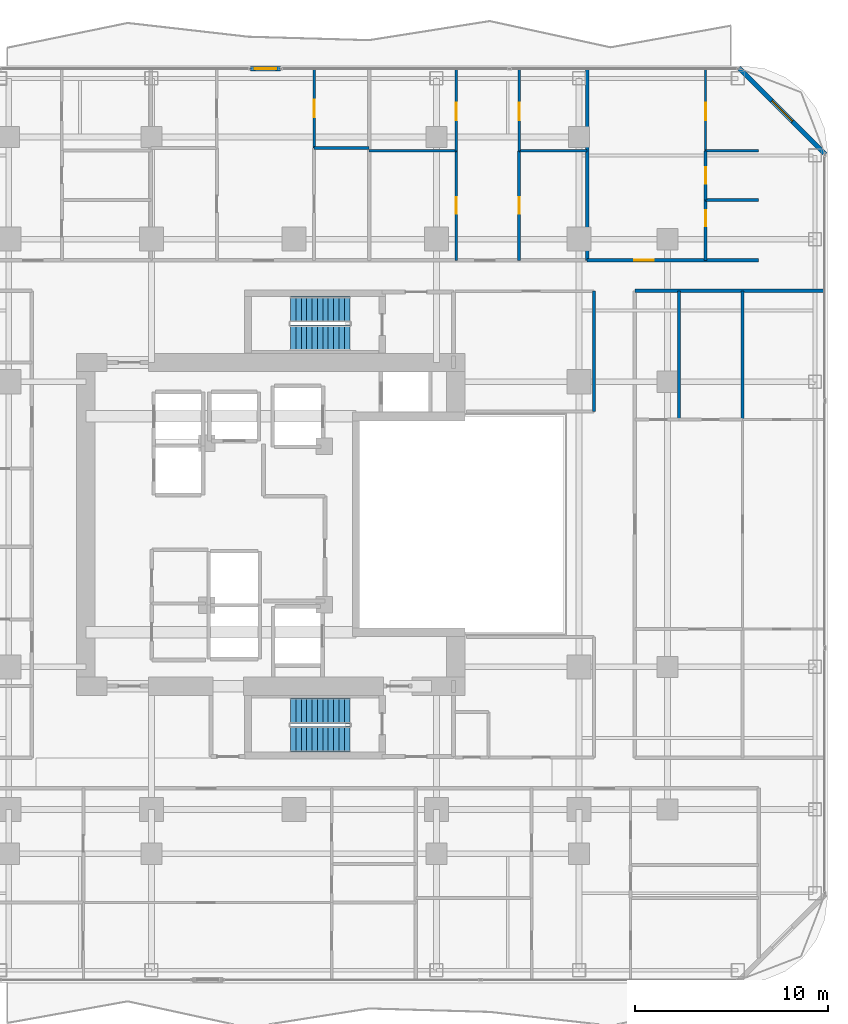
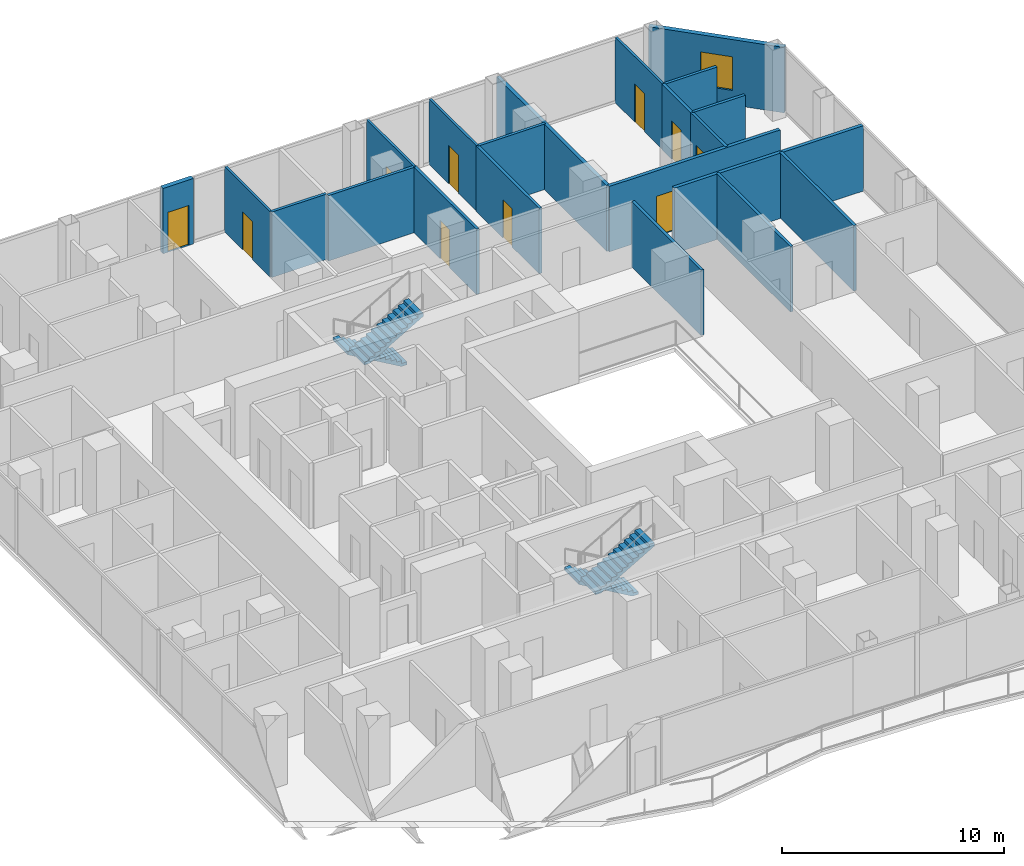
# One storey, part 24 of 27: 21 walls, 10 doors, 4 stair flights, 1 window, 11 openings, 2 elements without a shape of their own.
"""IFC4 building model written with IfcOpenShell, lengths in metres."""

from ifc_helpers import new_model, si_unit, direction, frame, frame_2d, origin, place, context, subcontext, project, spatial, polyline, rectangle, outline, extrude, material, layer, layer_set, type_object, element, fill, aggregate, save


model = new_model("IFC4")

# Units and contexts
model_context = context("Model", 3, precision=1e-05, world=origin(), true_north=direction((0.0, 1.0)))
body_context = subcontext(model_context, "Body", "Model", "MODEL_VIEW")
ifc_project = project(units=[si_unit("LENGTHUNIT", "METRE"), si_unit("AREAUNIT", "SQUARE_METRE"), si_unit("VOLUMEUNIT", "CUBIC_METRE"), si_unit("PLANEANGLEUNIT", "RADIAN"), si_unit("MASSUNIT", "GRAM", prefix="KILO")], contexts=[model_context])

# Site, building, storey
site_placement = place(None, origin())
site = spatial("IfcSite", under=ifc_project, at=site_placement, CompositionType="ELEMENT")
building_placement = place(site_placement, origin())
building = spatial("IfcBuilding", under=site, at=building_placement, Name="Khorvyn Point Tower", CompositionType="ELEMENT")
storey_placement = place(building_placement, frame((0.0, 0.0, 152.39990234375)))
storey = spatial("IfcBuildingStorey", under=building, at=storey_placement, Name="L38", CompositionType="ELEMENT", Elevation=152.39990234375)

# Wall, opening, door
ifc_material_1 = material(Name="Double acoustic gypsum on twin steel stud", Category="steel")
ifc_layer_1 = layer(ifc_material_1, 0.179931640625)
ifc_layer_set_1 = layer_set([ifc_layer_1], Name="Acoustic Double-Stud Apartment Demising Wall 180")
wall_type_1 = type_object("IfcWallType", Name="Acoustic Double-Stud Apartment Demising Wall 180", PredefinedType="PARTITIONING", material=ifc_layer_set_1)
wall_1_placement = place(storey_placement, frame((15.222900390625, 13.699951171875, 0.0), z_axis=(0.0, 0.0, 1.0), x_axis=(1.0, 0.0, 0.0)))
wall_1 = element("IfcWall", 1, at=wall_1_placement, inside=storey, type_object=wall_type_1, Name="Wall", PredefinedType="PARTITIONING", context=body_context, shape_type="SweptSolid", body=[
    extrude(rectangle(XDim=8.897216796875, YDim=0.179931640625, at=frame_2d((4.44873046875, 0.0))), origin(), (0.0, 0.0, 1.0), 3.60009765625),
])
opening_1_placement = place(wall_1_placement, frame((2.45068359375, 0.0, 0.0)))
opening_1 = element("IfcOpeningElement", 2, at=opening_1_placement, cuts=wall_1, Name="Opening ID-AP60", PredefinedType="OPENING", context=body_context, shape_type="SweptSolid", body=[
    extrude(rectangle(XDim=1.0, YDim=2.199951171875, at=frame_2d((0.5, 1.10009765625))), frame((0.0, 0.099853515625, 0.0), z_axis=(0.0, -1.0, 0.0), x_axis=(1.0, 0.0, 0.0)), (0.0, 0.0, 1.0), 0.199951171875),
])
ifc_material_2 = material(Name="Engineered hardwood fire-rated leaf", Category="wood")
door_type_1 = type_object("IfcDoorType", Name="Acoustic Solid-Core Timber Apartment Entrance Door 1000x2200", OperationType="NOTDEFINED", PredefinedType="DOOR", material=ifc_material_2)
door_1_placement = place(opening_1_placement, origin())
door_1 = element("IfcDoor", 3, at=door_1_placement, inside=storey, type_object=door_type_1, Name="Door", OperationType="SINGLE_SWING_LEFT", OverallHeight=2.199951171875, OverallWidth=1.0, PredefinedType="DOOR", context=body_context, shape_type="SweptSolid", body=[
    extrude(rectangle(XDim=1.0, YDim=2.199951171875, at=frame_2d((0.5, 1.10009765625))), frame((0.0, 0.02490234375, 0.0), z_axis=(0.0, -1.0, 0.0), x_axis=(1.0, 0.0, 0.0)), (0.0, 0.0, 1.0), 0.050048828125),
])
fill(opening_1, door_1)

# Walls
wall_2_placement = place(storey_placement, frame((15.222900390625, 13.699951171875, 0.0), z_axis=(0.0, 0.0, 1.0), x_axis=(0.0, 1.0, 0.0)))
element("IfcWall", 4, at=wall_2_placement, inside=storey, type_object=wall_type_1, Name="Wall", PredefinedType="PARTITIONING", context=body_context, shape_type="SweptSolid", body=[
    extrude(rectangle(XDim=9.929931640625, YDim=0.179931640625, at=frame_2d((4.96484375, 0.0))), origin(), (0.0, 0.0, 1.0), 3.60009765625),
])
wall_3_placement = place(storey_placement, frame((17.699951171875, 12.1201171875, 0.0), z_axis=(0.0, 0.0, 1.0), x_axis=(1.0, 0.0, 0.0)))
element("IfcWall", 5, at=wall_3_placement, inside=storey, type_object=wall_type_1, Name="Wall", PredefinedType="PARTITIONING", context=body_context, shape_type="SweptSolid", body=[
    extrude(rectangle(XDim=9.830078125, YDim=0.179931640625, at=frame_2d((4.9150390625, 0.0))), origin(), (0.0, 0.0, 1.0), 3.60009765625),
])

# Wall, opening, door
ifc_material_3 = material(Name="Pale anodised aluminium rainscreen on steel stud", Category="steel")
ifc_layer_2 = layer(ifc_material_3, 0.239990234375)
ifc_layer_set_2 = layer_set([ifc_layer_2], Name="Anodised Aluminium Insulated Corner Spandrel Wall 240")
wall_type_2 = type_object("IfcWallType", Name="Anodised Aluminium Insulated Corner Spandrel Wall 240", PredefinedType="SOLIDWALL", material=ifc_layer_set_2)
wall_4_placement = place(storey_placement, frame((-2.26611328125, 23.64990234375, 0.0), z_axis=(0.0, 0.0, 1.0), x_axis=(1.0, 0.0, 0.0)))
wall_4 = element("IfcWall", 6, at=wall_4_placement, inside=storey, type_object=wall_type_2, Name="L38 North Outdoor Threshold Wall", PredefinedType="SOLIDWALL", context=body_context, shape_type="SweptSolid", body=[
    extrude(rectangle(XDim=1.580078125, YDim=0.239990234375, at=frame_2d((0.7900390625, 0.0))), origin(), (0.0, 0.0, 1.0), 3.60009765625),
])
opening_2_placement = place(wall_4_placement, frame((0.239990234375, 0.0, 0.0)))
opening_2 = element("IfcOpeningElement", 7, at=opening_2_placement, cuts=wall_4, Name="Opening BD-1122", PredefinedType="OPENING", context=body_context, shape_type="SweptSolid", body=[
    extrude(rectangle(XDim=1.10009765625, YDim=2.199951171875, at=frame_2d((0.550048828125, 1.10009765625))), frame((0.0, 0.1298828125, 0.0), z_axis=(0.0, -1.0, 0.0), x_axis=(1.0, 0.0, 0.0)), (0.0, 0.0, 1.0), 0.260009765625),
])
ifc_material_4 = material(Name="Anodised aluminium 6063-T6 and laminated Low-E glass", Category="aluminium")
door_type_2 = type_object("IfcDoorType", Name="Glazed Balcony and Terrace Threshold Door 1100x2200", OperationType="NOTDEFINED", PredefinedType="DOOR", material=ifc_material_4)
door_2_placement = place(opening_2_placement, origin())
door_2 = element("IfcDoor", 8, at=door_2_placement, inside=storey, type_object=door_type_2, Name="L38 North Glazed Balcony Outdoor Door", OperationType="SINGLE_SWING_LEFT", OverallHeight=2.199951171875, OverallWidth=1.10009765625, PredefinedType="DOOR", context=body_context, shape_type="SweptSolid", body=[
    extrude(rectangle(XDim=1.10009765625, YDim=2.199951171875, at=frame_2d((0.550048828125, 1.10009765625))), frame((0.0, 0.02490234375, 0.0), z_axis=(0.0, -1.0, 0.0), x_axis=(1.0, 0.0, 0.0)), (0.0, 0.0, 1.0), 0.050048828125),
])
fill(opening_2, door_2)

# Wall, opening, window
wall_5_placement = place(storey_placement, frame((23.107666015625, 23.6923828125, 0.0), z_axis=(0.0, 0.0, 1.0), x_axis=(0.707087534163, -0.707126027686, 0.0)))
wall_5 = element("IfcWall", 9, at=wall_5_placement, inside=storey, type_object=wall_type_2, Name="L38 Rounded Corner Wall NE", PredefinedType="SOLIDWALL", context=body_context, shape_type="SweptSolid", body=[
    extrude(rectangle(XDim=6.34228515625, YDim=0.239990234375, at=frame_2d((3.171142578125, 0.0))), origin(), (0.0, 0.0, 1.0), 3.60009765625),
])
opening_3_placement = place(wall_5_placement, frame((2.42138671875, 0.0, 0.800048828125)))
opening_3 = element("IfcOpeningElement", 10, at=opening_3_placement, cuts=wall_5, Name="Opening WN-1518", PredefinedType="OPENING", context=body_context, shape_type="SweptSolid", body=[
    extrude(rectangle(XDim=1.5, YDim=1.85009765625, at=frame_2d((0.75, 0.925048828125))), frame((0.0, 0.1298828125, 0.0), z_axis=(0.0, -1.0, 0.0), x_axis=(1.0, 0.0, 0.0)), (0.0, 0.0, 1.0), 0.260009765625),
])
window_type = type_object("IfcWindowType", Name="Anodised Aluminium Rounded-Corner Panoramic Window 1500x1850", PartitioningType="SINGLE_PANEL", PredefinedType="WINDOW", material=ifc_material_4)
window_placement = place(opening_3_placement, origin())
window = element("IfcWindow", 11, at=window_placement, inside=storey, type_object=window_type, Name="L38 Corner Panoramic Window NE", OverallHeight=1.85009765625, OverallWidth=1.5, PartitioningType="SINGLE_PANEL", PredefinedType="WINDOW", context=body_context, shape_type="SweptSolid", body=[
    extrude(rectangle(XDim=1.5, YDim=1.85009765625, at=frame_2d((0.75, 0.925048828125))), frame((0.0, 0.030029296875, 0.0), z_axis=(0.0, -1.0, 0.0), x_axis=(1.0, 0.0, 0.0)), (0.0, 0.0, 1.0), 0.06005859375),
])
fill(opening_3, window)

# Wall, opening, door
ifc_material_5 = material(Name="Gypsum plasterboard on steel stud", Category="steel")
ifc_layer_3 = layer(ifc_material_5, 0.1201171875)
ifc_layer_set_3 = layer_set([ifc_layer_3], Name="Gypsum Acoustic Stud Room Partition Wall 120")
wall_type_3 = type_object("IfcWallType", Name="Gypsum Acoustic Stud Room Partition Wall 120", PredefinedType="PARTITIONING", material=ifc_layer_set_3)
wall_6_placement = place(storey_placement, frame((1.050048828125, 19.544921875, 0.0), z_axis=(0.0, 0.0, 1.0), x_axis=(0.0, 1.0, 0.0)))
wall_6 = element("IfcWall", 12, at=wall_6_placement, inside=storey, type_object=wall_type_3, Name="Wall", PredefinedType="PARTITIONING", context=body_context, shape_type="SweptSolid", body=[
    extrude(rectangle(XDim=4.0849609375, YDim=0.1201171875, at=frame_2d((2.04248046875, 0.0))), origin(), (0.0, 0.0, 1.0), 3.60009765625),
])
opening_4_placement = place(wall_6_placement, frame((1.592529296875, 0.0, 0.0)))
opening_4 = element("IfcOpeningElement", 13, at=opening_4_placement, cuts=wall_6, Name="Opening ID-RM90", PredefinedType="OPENING", context=body_context, shape_type="SweptSolid", body=[
    extrude(rectangle(XDim=0.89990234375, YDim=2.10009765625, at=frame_2d((0.449951171875, 1.050048828125))), frame((0.0, 0.070068359375, 0.0), z_axis=(0.0, -1.0, 0.0), x_axis=(1.0, 0.0, 0.0)), (0.0, 0.0, 1.0), 0.14013671875),
])
ifc_material_6 = material(Name="Engineered oak veneer timber", Category="wood")
door_type_3 = type_object("IfcDoorType", Name="Flush Engineered Timber Room Door 900x2100", OperationType="NOTDEFINED", PredefinedType="DOOR", material=ifc_material_6)
door_3_placement = place(opening_4_placement, origin())
door_3 = element("IfcDoor", 14, at=door_3_placement, inside=storey, type_object=door_type_3, Name="Door", OperationType="SINGLE_SWING_LEFT", OverallHeight=2.10009765625, OverallWidth=0.89990234375, PredefinedType="DOOR", context=body_context, shape_type="SweptSolid", body=[
    extrude(rectangle(XDim=0.89990234375, YDim=2.10009765625, at=frame_2d((0.449951171875, 1.050048828125))), frame((0.0, 0.02490234375, 0.0), z_axis=(0.0, -1.0, 0.0), x_axis=(1.0, 0.0, 0.0)), (0.0, 0.0, 1.0), 0.050048828125),
])
fill(opening_4, door_3)

wall_7_placement = place(storey_placement, frame((8.428955078125, 19.389892578125, 0.0), z_axis=(0.0, 0.0, 1.0), x_axis=(0.0, 1.0, 0.0)))
wall_7 = element("IfcWall", 15, at=wall_7_placement, inside=storey, type_object=wall_type_3, Name="Wall", PredefinedType="PARTITIONING", context=body_context, shape_type="SweptSolid", body=[
    extrude(rectangle(XDim=4.239990234375, YDim=0.1201171875, at=frame_2d((2.1201171875, 0.0))), origin(), (0.0, 0.0, 1.0), 3.60009765625),
])
opening_5_placement = place(wall_7_placement, frame((1.581298828125, 0.0, 0.0)))
opening_5 = element("IfcOpeningElement", 16, at=opening_5_placement, cuts=wall_7, Name="Opening ID-RM90", PredefinedType="OPENING", context=body_context, shape_type="SweptSolid", body=[
    extrude(rectangle(XDim=0.89990234375, YDim=2.10009765625, at=frame_2d((0.449951171875, 1.050048828125))), frame((0.0, 0.070068359375, 0.0), z_axis=(0.0, -1.0, 0.0), x_axis=(1.0, 0.0, 0.0)), (0.0, 0.0, 1.0), 0.14013671875),
])
door_4_placement = place(opening_5_placement, origin())
door_4 = element("IfcDoor", 17, at=door_4_placement, inside=storey, type_object=door_type_3, Name="Door", OperationType="SINGLE_SWING_RIGHT", OverallHeight=2.10009765625, OverallWidth=0.89990234375, PredefinedType="DOOR", context=body_context, shape_type="SweptSolid", body=[
    extrude(rectangle(XDim=0.89990234375, YDim=2.10009765625, at=frame_2d((0.449951171875, 1.050048828125))), frame((0.0, 0.02490234375, 0.0), z_axis=(0.0, -1.0, 0.0), x_axis=(1.0, 0.0, 0.0)), (0.0, 0.0, 1.0), 0.050048828125),
])
fill(opening_5, door_4)

wall_8_placement = place(storey_placement, frame((11.68994140625, 19.389892578125, 0.0), z_axis=(0.0, 0.0, 1.0), x_axis=(0.0, 1.0, 0.0)))
wall_8 = element("IfcWall", 18, at=wall_8_placement, inside=storey, type_object=wall_type_3, Name="Wall", PredefinedType="PARTITIONING", context=body_context, shape_type="SweptSolid", body=[
    extrude(rectangle(XDim=4.239990234375, YDim=0.1201171875, at=frame_2d((2.1201171875, 0.0))), origin(), (0.0, 0.0, 1.0), 3.60009765625),
])
opening_6_placement = place(wall_8_placement, frame((1.581298828125, 0.0, 0.0)))
opening_6 = element("IfcOpeningElement", 19, at=opening_6_placement, cuts=wall_8, Name="Opening ID-RM90", PredefinedType="OPENING", context=body_context, shape_type="SweptSolid", body=[
    extrude(rectangle(XDim=0.89990234375, YDim=2.10009765625, at=frame_2d((0.449951171875, 1.050048828125))), frame((0.0, 0.070068359375, 0.0), z_axis=(0.0, -1.0, 0.0), x_axis=(1.0, 0.0, 0.0)), (0.0, 0.0, 1.0), 0.14013671875),
])
door_5_placement = place(opening_6_placement, origin())
door_5 = element("IfcDoor", 20, at=door_5_placement, inside=storey, type_object=door_type_3, Name="Door", OperationType="SINGLE_SWING_RIGHT", OverallHeight=2.10009765625, OverallWidth=0.89990234375, PredefinedType="DOOR", context=body_context, shape_type="SweptSolid", body=[
    extrude(rectangle(XDim=0.89990234375, YDim=2.10009765625, at=frame_2d((0.449951171875, 1.050048828125))), frame((0.0, 0.02490234375, 0.0), z_axis=(0.0, -1.0, 0.0), x_axis=(1.0, 0.0, 0.0)), (0.0, 0.0, 1.0), 0.050048828125),
])
fill(opening_6, door_5)

wall_9_placement = place(storey_placement, frame((21.3701171875, 19.389892578125, 0.0), z_axis=(0.0, 0.0, 1.0), x_axis=(0.0, 1.0, 0.0)))
wall_9 = element("IfcWall", 21, at=wall_9_placement, inside=storey, type_object=wall_type_3, Name="Wall", PredefinedType="PARTITIONING", context=body_context, shape_type="SweptSolid", body=[
    extrude(rectangle(XDim=4.239990234375, YDim=0.1201171875, at=frame_2d((2.1201171875, 0.0))), origin(), (0.0, 0.0, 1.0), 3.60009765625),
])
opening_7_placement = place(wall_9_placement, frame((1.581298828125, 0.0, 0.0)))
opening_7 = element("IfcOpeningElement", 22, at=opening_7_placement, cuts=wall_9, Name="Opening ID-RM90", PredefinedType="OPENING", context=body_context, shape_type="SweptSolid", body=[
    extrude(rectangle(XDim=0.89990234375, YDim=2.10009765625, at=frame_2d((0.449951171875, 1.050048828125))), frame((0.0, 0.070068359375, 0.0), z_axis=(0.0, -1.0, 0.0), x_axis=(1.0, 0.0, 0.0)), (0.0, 0.0, 1.0), 0.14013671875),
])
door_6_placement = place(opening_7_placement, origin())
door_6 = element("IfcDoor", 23, at=door_6_placement, inside=storey, type_object=door_type_3, Name="Door", OperationType="SINGLE_SWING_RIGHT", OverallHeight=2.10009765625, OverallWidth=0.89990234375, PredefinedType="DOOR", context=body_context, shape_type="SweptSolid", body=[
    extrude(rectangle(XDim=0.89990234375, YDim=2.10009765625, at=frame_2d((0.449951171875, 1.050048828125))), frame((0.0, 0.02490234375, 0.0), z_axis=(0.0, -1.0, 0.0), x_axis=(1.0, 0.0, 0.0)), (0.0, 0.0, 1.0), 0.050048828125),
])
fill(opening_7, door_6)

ifc_material_7 = material(Name="Moisture-resistant gypsum and cement board", Category="gypsum")
ifc_layer_4 = layer(ifc_material_7, 0.14990234375)
ifc_layer_set_4 = layer_set([ifc_layer_4], Name="Moisture-Resistant Wet-Room Partition Wall 150")
wall_type_4 = type_object("IfcWallType", Name="Moisture-Resistant Wet-Room Partition Wall 150", PredefinedType="PARTITIONING", material=ifc_layer_set_4)
wall_10_placement = place(storey_placement, frame((8.428955078125, 13.699951171875, 0.0), z_axis=(0.0, 0.0, 1.0), x_axis=(0.0, 1.0, 0.0)))
wall_10 = element("IfcWall", 24, at=wall_10_placement, inside=storey, type_object=wall_type_4, Name="Wall", PredefinedType="PARTITIONING", context=body_context, shape_type="SweptSolid", body=[
    extrude(rectangle(XDim=5.68994140625, YDim=0.14990234375, at=frame_2d((2.844970703125, 0.0))), origin(), (0.0, 0.0, 1.0), 3.60009765625),
])
opening_8_placement = place(wall_10_placement, frame((2.419921875, 0.0, 0.0)))
opening_8 = element("IfcOpeningElement", 25, at=opening_8_placement, cuts=wall_10, Name="Opening ID-WC85", PredefinedType="OPENING", context=body_context, shape_type="SweptSolid", body=[
    extrude(rectangle(XDim=0.85009765625, YDim=2.10009765625, at=frame_2d((0.425048828125, 1.050048828125))), frame((0.0, 0.0849609375, 0.0), z_axis=(0.0, -1.0, 0.0), x_axis=(1.0, 0.0, 0.0)), (0.0, 0.0, 1.0), 0.169921875),
])
ifc_material_8 = material(Name="High-pressure laminate on moisture-resistant core", Category="wood")
door_type_4 = type_object("IfcDoorType", Name="Moisture-Resistant Accessible Washroom Door 850x2100", OperationType="NOTDEFINED", PredefinedType="DOOR", material=ifc_material_8)
door_7_placement = place(opening_8_placement, origin())
door_7 = element("IfcDoor", 26, at=door_7_placement, inside=storey, type_object=door_type_4, Name="Door", OperationType="SINGLE_SWING_LEFT", OverallHeight=2.10009765625, OverallWidth=0.85009765625, PredefinedType="DOOR", context=body_context, shape_type="SweptSolid", body=[
    extrude(rectangle(XDim=0.85009765625, YDim=2.10009765625, at=frame_2d((0.425048828125, 1.050048828125))), frame((0.0, 0.02490234375, 0.0), z_axis=(0.0, -1.0, 0.0), x_axis=(1.0, 0.0, 0.0)), (0.0, 0.0, 1.0), 0.050048828125),
])
fill(opening_8, door_7)

wall_11_placement = place(storey_placement, frame((11.68994140625, 13.699951171875, 0.0), z_axis=(0.0, 0.0, 1.0), x_axis=(0.0, 1.0, 0.0)))
wall_11 = element("IfcWall", 27, at=wall_11_placement, inside=storey, type_object=wall_type_4, Name="Wall", PredefinedType="PARTITIONING", context=body_context, shape_type="SweptSolid", body=[
    extrude(rectangle(XDim=5.68994140625, YDim=0.14990234375, at=frame_2d((2.844970703125, 0.0))), origin(), (0.0, 0.0, 1.0), 3.60009765625),
])
opening_9_placement = place(wall_11_placement, frame((2.419921875, 0.0, 0.0)))
opening_9 = element("IfcOpeningElement", 28, at=opening_9_placement, cuts=wall_11, Name="Opening ID-WC85", PredefinedType="OPENING", context=body_context, shape_type="SweptSolid", body=[
    extrude(rectangle(XDim=0.85009765625, YDim=2.10009765625, at=frame_2d((0.425048828125, 1.050048828125))), frame((0.0, 0.0849609375, 0.0), z_axis=(0.0, -1.0, 0.0), x_axis=(1.0, 0.0, 0.0)), (0.0, 0.0, 1.0), 0.169921875),
])
door_8_placement = place(opening_9_placement, origin())
door_8 = element("IfcDoor", 29, at=door_8_placement, inside=storey, type_object=door_type_4, Name="Door", OperationType="SINGLE_SWING_LEFT", OverallHeight=2.10009765625, OverallWidth=0.85009765625, PredefinedType="DOOR", context=body_context, shape_type="SweptSolid", body=[
    extrude(rectangle(XDim=0.85009765625, YDim=2.10009765625, at=frame_2d((0.425048828125, 1.050048828125))), frame((0.0, 0.02490234375, 0.0), z_axis=(0.0, -1.0, 0.0), x_axis=(1.0, 0.0, 0.0)), (0.0, 0.0, 1.0), 0.050048828125),
])
fill(opening_9, door_8)

wall_12_placement = place(storey_placement, frame((21.3701171875, 13.699951171875, 0.0), z_axis=(0.0, 0.0, 1.0), x_axis=(0.0, 1.0, 0.0)))
wall_12 = element("IfcWall", 30, at=wall_12_placement, inside=storey, type_object=wall_type_4, Name="Wall", PredefinedType="PARTITIONING", context=body_context, shape_type="SweptSolid", body=[
    extrude(rectangle(XDim=3.129150390625, YDim=0.14990234375, at=frame_2d((1.564453125, 0.0))), origin(), (0.0, 0.0, 1.0), 3.60009765625),
])
opening_10_placement = place(wall_12_placement, frame((1.7626953125, 0.0, 0.0)))
opening_10 = element("IfcOpeningElement", 31, at=opening_10_placement, cuts=wall_12, Name="Opening ID-WC85", PredefinedType="OPENING", context=body_context, shape_type="SweptSolid", body=[
    extrude(rectangle(XDim=0.85009765625, YDim=2.10009765625, at=frame_2d((0.425048828125, 1.050048828125))), frame((0.0, 0.0849609375, 0.0), z_axis=(0.0, -1.0, 0.0), x_axis=(1.0, 0.0, 0.0)), (0.0, 0.0, 1.0), 0.169921875),
])
door_9_placement = place(opening_10_placement, origin())
door_9 = element("IfcDoor", 32, at=door_9_placement, inside=storey, type_object=door_type_4, Name="Door", OperationType="SINGLE_SWING_RIGHT", OverallHeight=2.10009765625, OverallWidth=0.85009765625, PredefinedType="DOOR", context=body_context, shape_type="SweptSolid", body=[
    extrude(rectangle(XDim=0.85009765625, YDim=2.10009765625, at=frame_2d((0.425048828125, 1.050048828125))), frame((0.0, 0.02490234375, 0.0), z_axis=(0.0, -1.0, 0.0), x_axis=(1.0, 0.0, 0.0)), (0.0, 0.0, 1.0), 0.050048828125),
])
fill(opening_10, door_9)

wall_13_placement = place(storey_placement, frame((21.3701171875, 16.8291015625, 0.0), z_axis=(0.0, 0.0, 1.0), x_axis=(0.0, 1.0, 0.0)))
wall_13 = element("IfcWall", 33, at=wall_13_placement, inside=storey, type_object=wall_type_4, Name="Wall", PredefinedType="PARTITIONING", context=body_context, shape_type="SweptSolid", body=[
    extrude(rectangle(XDim=2.560791015625, YDim=0.14990234375, at=frame_2d((1.2802734375, 0.0))), origin(), (0.0, 0.0, 1.0), 3.60009765625),
])
opening_11_placement = place(wall_13_placement, frame((0.85546875, 0.0, 0.0)))
opening_11 = element("IfcOpeningElement", 34, at=opening_11_placement, cuts=wall_13, Name="Opening ID-WC85", PredefinedType="OPENING", context=body_context, shape_type="SweptSolid", body=[
    extrude(rectangle(XDim=0.85009765625, YDim=2.10009765625, at=frame_2d((0.425048828125, 1.050048828125))), frame((0.0, 0.0849609375, 0.0), z_axis=(0.0, -1.0, 0.0), x_axis=(1.0, 0.0, 0.0)), (0.0, 0.0, 1.0), 0.169921875),
])
door_10_placement = place(opening_11_placement, origin())
door_10 = element("IfcDoor", 35, at=door_10_placement, inside=storey, type_object=door_type_4, Name="Door", OperationType="SINGLE_SWING_LEFT", OverallHeight=2.10009765625, OverallWidth=0.85009765625, PredefinedType="DOOR", context=body_context, shape_type="SweptSolid", body=[
    extrude(rectangle(XDim=0.85009765625, YDim=2.10009765625, at=frame_2d((0.425048828125, 1.050048828125))), frame((0.0, 0.02490234375, 0.0), z_axis=(0.0, -1.0, 0.0), x_axis=(1.0, 0.0, 0.0)), (0.0, 0.0, 1.0), 0.050048828125),
])
fill(opening_11, door_10)

# Walls
wall_14_placement = place(storey_placement, frame((15.580078125, 5.85009765625, 0.0), z_axis=(0.0, 0.0, 1.0), x_axis=(0.0, 1.0, 0.0)))
element("IfcWall", 36, at=wall_14_placement, inside=storey, type_object=wall_type_4, Name="Wall", PredefinedType="PARTITIONING", context=body_context, shape_type="SweptSolid", body=[
    extrude(rectangle(XDim=6.25, YDim=0.14990234375, at=frame_2d((3.125, 0.0))), origin(), (0.0, 0.0, 1.0), 3.60009765625),
])
wall_15_placement = place(storey_placement, frame((1.050048828125, 19.544921875, 0.0), z_axis=(0.0, 0.0, 1.0), x_axis=(1.0, 0.0, 0.0)))
element("IfcWall", 37, at=wall_15_placement, inside=storey, type_object=wall_type_4, Name="Wall", PredefinedType="PARTITIONING", context=body_context, shape_type="SweptSolid", body=[
    extrude(rectangle(XDim=2.849853515625, YDim=0.14990234375, at=frame_2d((1.4248046875, 0.0))), origin(), (0.0, 0.0, 1.0), 3.60009765625),
])
wall_16_placement = place(storey_placement, frame((3.89990234375, 19.389892578125, 0.0), z_axis=(0.0, 0.0, 1.0), x_axis=(1.0, 0.0, 0.0)))
element("IfcWall", 38, at=wall_16_placement, inside=storey, type_object=wall_type_4, Name="Wall", PredefinedType="PARTITIONING", context=body_context, shape_type="SweptSolid", body=[
    extrude(rectangle(XDim=4.529052734375, YDim=0.14990234375, at=frame_2d((2.2646484375, 0.0))), origin(), (0.0, 0.0, 1.0), 3.60009765625),
])
wall_17_placement = place(storey_placement, frame((11.68994140625, 19.389892578125, 0.0), z_axis=(0.0, 0.0, 1.0), x_axis=(1.0, 0.0, 0.0)))
element("IfcWall", 39, at=wall_17_placement, inside=storey, type_object=wall_type_4, Name="Wall", PredefinedType="PARTITIONING", context=body_context, shape_type="SweptSolid", body=[
    extrude(rectangle(XDim=3.532958984375, YDim=0.14990234375, at=frame_2d((1.7666015625, 0.0))), origin(), (0.0, 0.0, 1.0), 3.60009765625),
])
for number, where, z_axis, x_axis, name in (
    (40, (21.3701171875, 16.8291015625, 0.0), (0.0, 0.0, 1.0), (1.0, 0.0, 0.0), "Wall"),
    (41, (21.3701171875, 19.389892578125, 0.0), (0.0, 0.0, 1.0), (1.0, 0.0, 0.0), "Wall"),
):
    element("IfcWall", number, at=place(storey_placement, frame(where, z_axis=z_axis, x_axis=x_axis)), inside=storey, type_object=wall_type_4, Name=name, PredefinedType="PARTITIONING", context=body_context, shape_type="SweptSolid", body=[
        extrude(rectangle(XDim=2.75, YDim=0.14990234375, at=frame_2d((1.375, 0.0))), origin(), (0.0, 0.0, 1.0), 3.60009765625),
    ])
for number, where, z_axis, x_axis, name in (
    (42, (19.991943359375, 5.43603515625, 0.0), (0.0, 0.0, 1.0), (0.0, 1.0, 0.0), "Wall"),
    (43, (23.2900390625, 5.43603515625, 0.0), (0.0, 0.0, 1.0), (0.0, 1.0, 0.0), "Wall"),
):
    element("IfcWall", number, at=place(storey_placement, frame(where, z_axis=z_axis, x_axis=x_axis)), inside=storey, type_object=wall_type_4, Name=name, PredefinedType="PARTITIONING", context=body_context, shape_type="SweptSolid", body=[
        extrude(rectangle(XDim=6.68408203125, YDim=0.14990234375, at=frame_2d((3.342041015625, 0.0))), origin(), (0.0, 0.0, 1.0), 3.60009765625),
    ])

# Stair, stair flights
ifc_material_9 = material(Name="Concrete C40/50", Category="concrete")
stair_type = type_object("IfcStairType", Name="Tower Concrete C40/50 Dogleg Exit Stair", PredefinedType="HALF_TURN_STAIR", material=ifc_material_9)
stair_1_placement = place(storey_placement, origin())
stair_1 = element("IfcStair", 44, at=stair_1_placement, inside=storey, type_object=stair_type, Name="L38 Tower Smokeproof Exit Stair South", PredefinedType="HALF_TURN_STAIR")
stair_flight_type = type_object("IfcStairFlightType", Name="Tower Concrete C40/50 Stair Flight", PredefinedType="STRAIGHT", material=ifc_material_9)
stair_flight_1_placement = place(storey_placement, frame((2.89990234375, -9.679931640625, 0.0), z_axis=(0.0, 0.0, 1.0), x_axis=(-1.0, 0.0, 0.0)))
stair_flight_1 = element("IfcStairFlight", 45, at=stair_flight_1_placement, type_object=stair_flight_type, Name="ST-01 flight 1", NumberOfRisers=12, NumberOfTreads=11, PredefinedType="STRAIGHT", RiserHeight=0.1625, TreadLength=0.28, context=body_context, shape_type="SweptSolid", body=[
    extrude(outline(polyline([(0.0, 0.0), (0.0, 0.16259765625), (0.280029296875, 0.16259765625), (0.280029296875, 0.324951171875), (0.56005859375, 0.324951171875), (0.56005859375, 0.487548828125), (0.840087890625, 0.487548828125), (0.840087890625, 0.64990234375), (1.1201171875, 0.64990234375), (1.1201171875, 0.8125), (1.39990234375, 0.8125), (1.39990234375, 0.97509765625), (1.679931640625, 0.97509765625), (1.679931640625, 1.137451171875), (1.9599609375, 1.137451171875), (1.9599609375, 1.300048828125), (2.239990234375, 1.300048828125), (2.239990234375, 1.46240234375), (2.52001953125, 1.46240234375), (2.52001953125, 1.625), (2.800048828125, 1.625), (2.800048828125, 1.78759765625), (3.080078125, 1.78759765625), (3.080078125, 1.949951171875), (3.080078125, 1.6142578125), (0.298583984375, 0.0), (0.0, 0.0)])), frame((0.0, 0.66015625, 0.0), z_axis=(0.0, -1.0, 0.0), x_axis=(1.0, 0.0, 0.0)), (0.0, 0.0, 1.0), 1.320068359375),
])
stair_flight_2_placement = place(storey_placement, frame((-0.179931640625, -11.159912109375, 1.9501953125), z_axis=(0.0, 0.0, 1.0), x_axis=(1.0, 0.0, 0.0)))
stair_flight_2 = element("IfcStairFlight", 46, at=stair_flight_2_placement, type_object=stair_flight_type, Name="ST-01 flight 2", NumberOfRisers=12, NumberOfTreads=11, PredefinedType="STRAIGHT", RiserHeight=0.1625, TreadLength=0.28, context=body_context, shape_type="SweptSolid", body=[
    extrude(outline(polyline([(0.0, 0.0), (0.0, 0.16259765625), (0.280029296875, 0.16259765625), (0.280029296875, 0.324951171875), (0.56005859375, 0.324951171875), (0.56005859375, 0.487548828125), (0.840087890625, 0.487548828125), (0.840087890625, 0.64990234375), (1.1201171875, 0.64990234375), (1.1201171875, 0.8125), (1.39990234375, 0.8125), (1.39990234375, 0.97509765625), (1.679931640625, 0.97509765625), (1.679931640625, 1.137451171875), (1.9599609375, 1.137451171875), (1.9599609375, 1.300048828125), (2.239990234375, 1.300048828125), (2.239990234375, 1.46240234375), (2.52001953125, 1.46240234375), (2.52001953125, 1.625), (2.800048828125, 1.625), (2.800048828125, 1.78759765625), (3.080078125, 1.78759765625), (3.080078125, 1.949951171875), (3.080078125, 1.6142578125), (0.298583984375, 0.0), (0.0, 0.0)])), frame((0.0, 0.66015625, 0.0), z_axis=(0.0, -1.0, 0.0), x_axis=(1.0, 0.0, 0.0)), (0.0, 0.0, 1.0), 1.320068359375),
])
aggregate(stair_1, [stair_flight_1, stair_flight_2])

stair_2_placement = place(storey_placement, origin())
stair_2 = element("IfcStair", 47, at=stair_2_placement, inside=storey, type_object=stair_type, Name="L38 Tower Smokeproof Exit Stair North", PredefinedType="HALF_TURN_STAIR")
stair_flight_3_placement = place(storey_placement, frame((2.89990234375, 11.159912109375, 0.0), z_axis=(0.0, 0.0, 1.0), x_axis=(-1.0, 0.0, 0.0)))
stair_flight_3 = element("IfcStairFlight", 48, at=stair_flight_3_placement, type_object=stair_flight_type, Name="ST-02 flight 1", NumberOfRisers=12, NumberOfTreads=11, PredefinedType="STRAIGHT", RiserHeight=0.1625, TreadLength=0.28, context=body_context, shape_type="SweptSolid", body=[
    extrude(outline(polyline([(0.0, 0.0), (0.0, 0.16259765625), (0.280029296875, 0.16259765625), (0.280029296875, 0.324951171875), (0.56005859375, 0.324951171875), (0.56005859375, 0.487548828125), (0.840087890625, 0.487548828125), (0.840087890625, 0.64990234375), (1.1201171875, 0.64990234375), (1.1201171875, 0.8125), (1.39990234375, 0.8125), (1.39990234375, 0.97509765625), (1.679931640625, 0.97509765625), (1.679931640625, 1.137451171875), (1.9599609375, 1.137451171875), (1.9599609375, 1.300048828125), (2.239990234375, 1.300048828125), (2.239990234375, 1.46240234375), (2.52001953125, 1.46240234375), (2.52001953125, 1.625), (2.800048828125, 1.625), (2.800048828125, 1.78759765625), (3.080078125, 1.78759765625), (3.080078125, 1.949951171875), (3.080078125, 1.6142578125), (0.298583984375, 0.0), (0.0, 0.0)])), frame((0.0, 0.66015625, 0.0), z_axis=(0.0, -1.0, 0.0), x_axis=(1.0, 0.0, 0.0)), (0.0, 0.0, 1.0), 1.320068359375),
])
stair_flight_4_placement = place(storey_placement, frame((-0.179931640625, 9.679931640625, 1.9501953125), z_axis=(0.0, 0.0, 1.0), x_axis=(1.0, 0.0, 0.0)))
stair_flight_4 = element("IfcStairFlight", 49, at=stair_flight_4_placement, type_object=stair_flight_type, Name="ST-02 flight 2", NumberOfRisers=12, NumberOfTreads=11, PredefinedType="STRAIGHT", RiserHeight=0.1625, TreadLength=0.28, context=body_context, shape_type="SweptSolid", body=[
    extrude(outline(polyline([(0.0, 0.0), (0.0, 0.16259765625), (0.280029296875, 0.16259765625), (0.280029296875, 0.324951171875), (0.56005859375, 0.324951171875), (0.56005859375, 0.487548828125), (0.840087890625, 0.487548828125), (0.840087890625, 0.64990234375), (1.1201171875, 0.64990234375), (1.1201171875, 0.8125), (1.39990234375, 0.8125), (1.39990234375, 0.97509765625), (1.679931640625, 0.97509765625), (1.679931640625, 1.137451171875), (1.9599609375, 1.137451171875), (1.9599609375, 1.300048828125), (2.239990234375, 1.300048828125), (2.239990234375, 1.46240234375), (2.52001953125, 1.46240234375), (2.52001953125, 1.625), (2.800048828125, 1.625), (2.800048828125, 1.78759765625), (3.080078125, 1.78759765625), (3.080078125, 1.949951171875), (3.080078125, 1.6142578125), (0.298583984375, 0.0), (0.0, 0.0)])), frame((0.0, 0.66015625, 0.0), z_axis=(0.0, -1.0, 0.0), x_axis=(1.0, 0.0, 0.0)), (0.0, 0.0, 1.0), 1.320068359375),
])
aggregate(stair_2, [stair_flight_3, stair_flight_4])

save(model, "model.ifc")
